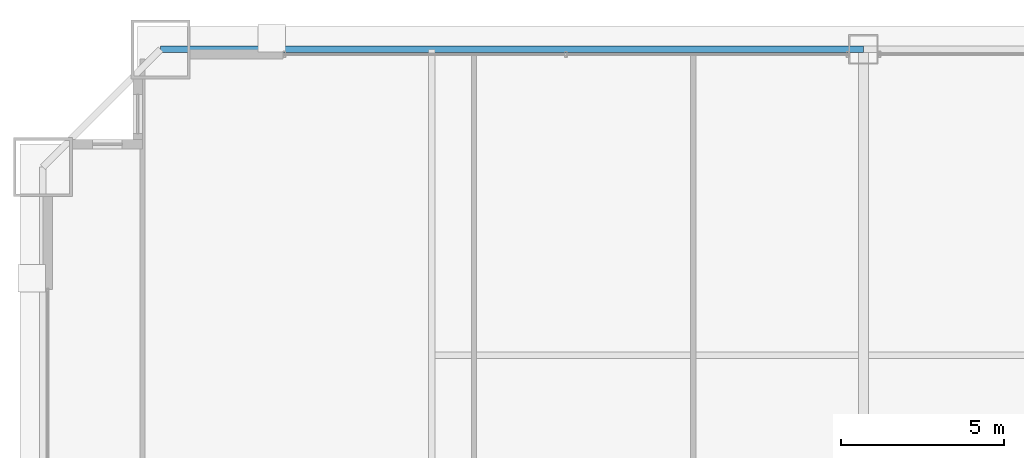
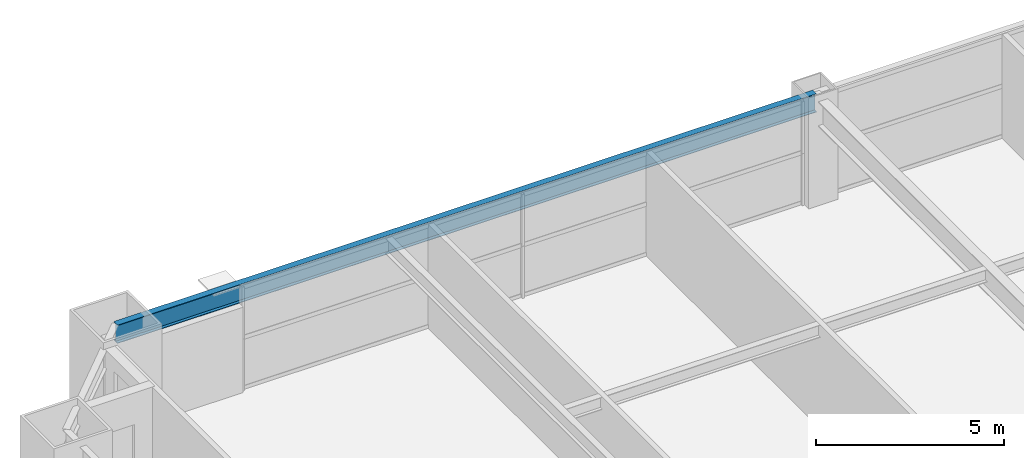
# One storey, part 29 of 46: 1 beam.
"""IFC4 building model written with IfcOpenShell, lengths in metres."""

from ifc_helpers import new_model, si_unit, direction, frame, origin, origin_2d, place, context, subcontext, project, spatial, i_section, extrude, source, transform, mapped, material, material_profile, profile_set, type_object, element, save


model = new_model("IFC4")

# Units and contexts
model_context = context("Model", 3, precision=1e-05, world=origin(), true_north=direction((0.0, 1.0)))
body_context = subcontext(model_context, "Body", "Model", "MODEL_VIEW")
ifc_project = project(units=[si_unit("LENGTHUNIT", "METRE"), si_unit("AREAUNIT", "SQUARE_METRE"), si_unit("VOLUMEUNIT", "CUBIC_METRE"), si_unit("PLANEANGLEUNIT", "RADIAN"), si_unit("MASSUNIT", "GRAM", prefix="KILO"), si_unit("THERMODYNAMICTEMPERATUREUNIT", "KELVIN"), si_unit("POWERUNIT", "WATT")], contexts=[model_context])

# Site, building, storey
site_placement = place(None, origin())
site = spatial("IfcSite", under=ifc_project, at=site_placement, CompositionType="ELEMENT")
building_placement = place(site_placement, origin())
building = spatial("IfcBuilding", under=site, at=building_placement, Name="Yuzanri Waterfront Tower", CompositionType="ELEMENT")
storey_placement = place(building_placement, frame((0.0, 0.0, 56.800048828125)))
storey = spatial("IfcBuildingStorey", under=building, at=storey_placement, Name="L14", CompositionType="ELEMENT", Elevation=56.800048828125)

# Beam
ifc_material = material(Name="Steel Q355B", Category="steel")
ifc_material_profile = material_profile(ifc_material, i_section(OverallWidth=0.199951171875, OverallDepth=0.60009765625, WebThickness=0.010986328125, FlangeThickness=0.01708984375, at=origin_2d()), Name="HN 600x200x11x17")
ifc_profile_set = profile_set([ifc_material_profile], Name="Steel Q355B")
beam_type = type_object("IfcBeamType", Name="Perimeter Spandrel Q355B HN 600x200", PredefinedType="SPANDREL", material=ifc_profile_set)
shared_shape = source(origin(), body_context, "Body", "SweptSolid", [
    extrude(i_section(OverallWidth=0.199951171875, OverallDepth=0.60009765625, WebThickness=0.010986328125, FlangeThickness=0.01708984375, at=origin_2d()), origin(), (0.0, 0.0, 1.0), 21.5),
])
beam_placement = place(storey_placement, frame((37.0, 50.89990234375, 3.079833984375), z_axis=(-1.0, 0.0, 0.0), x_axis=(0.0, -1.0, 0.0)))
element("IfcBeam", 1, at=beam_placement, inside=storey, type_object=beam_type, Name="L14 Perimeter Spandrel N2-N1", PredefinedType="SPANDREL", context=body_context, shape_type="MappedRepresentation", body=[
    mapped(shared_shape, transform((0.0, 0.0, 0.0), scale=1.0)),
])

save(model, "model.ifc")
